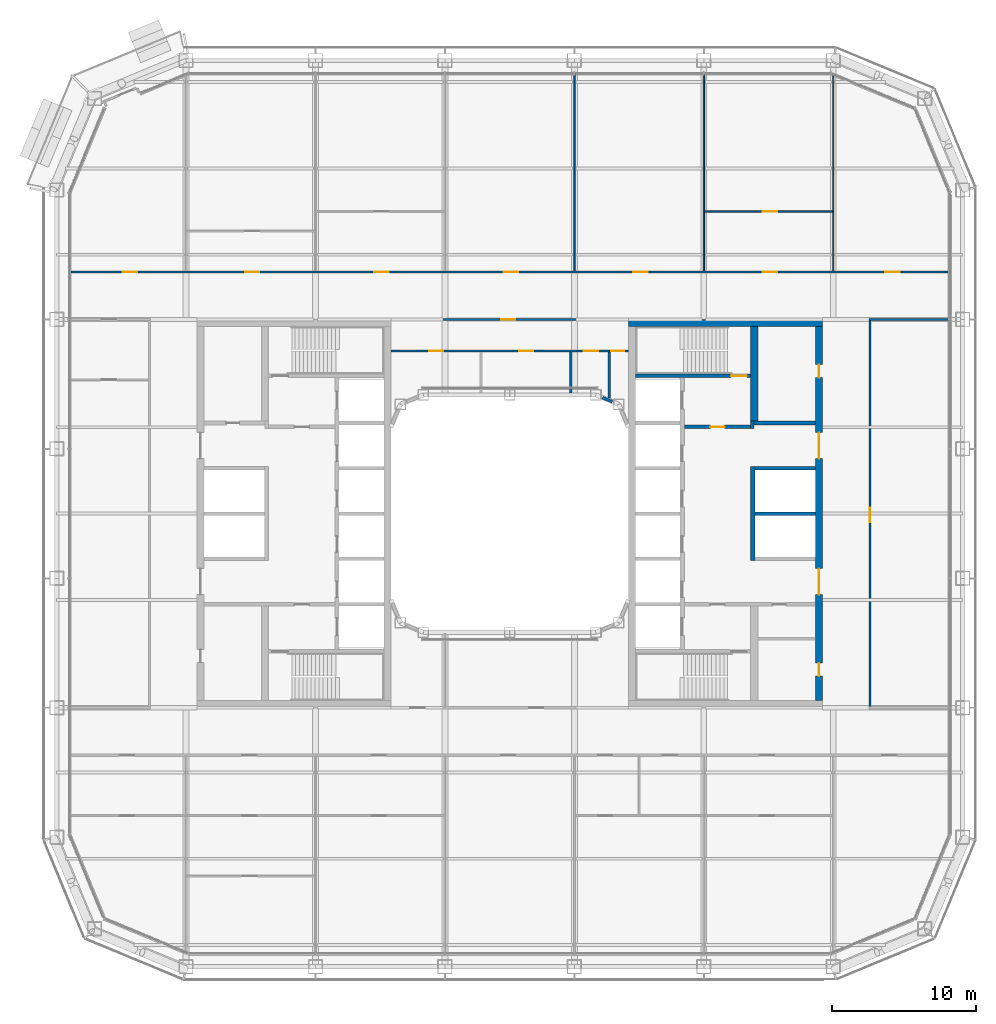
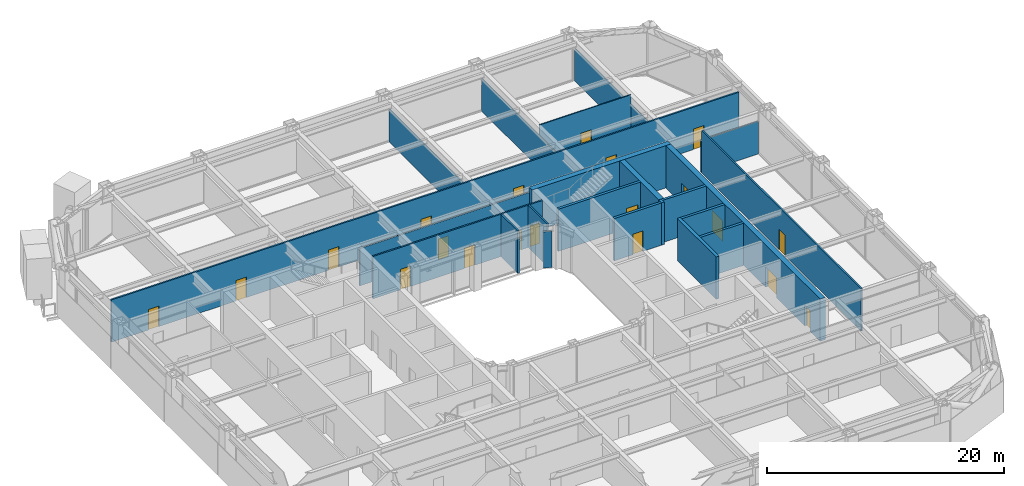
# One storey, part 15 of 28: 23 walls, 20 doors, 20 openings.
"""IFC4 building model written with IfcOpenShell, lengths in metres."""

from ifc_helpers import new_model, si_unit, direction, frame, frame_2d, origin, place, context, subcontext, project, spatial, rectangle, extrude, material, layer, layer_set, type_object, element, fill, save


model = new_model("IFC4")

# Units and contexts
model_context = context("Model", 3, precision=1e-05, world=origin(), true_north=direction((0.0, 1.0)))
body_context = subcontext(model_context, "Body", "Model", "MODEL_VIEW")
ifc_project = project(units=[si_unit("LENGTHUNIT", "METRE"), si_unit("AREAUNIT", "SQUARE_METRE"), si_unit("VOLUMEUNIT", "CUBIC_METRE"), si_unit("PLANEANGLEUNIT", "RADIAN"), si_unit("MASSUNIT", "GRAM", prefix="KILO")], contexts=[model_context])

# Site, building, storey
site_placement = place(None, origin())
site = spatial("IfcSite", under=ifc_project, at=site_placement, CompositionType="ELEMENT")
building_placement = place(site_placement, origin())
building = spatial("IfcBuilding", under=site, at=building_placement, Name="Siwar Civic Tower", CompositionType="ELEMENT")
storey_placement = place(building_placement, frame((0.0, 0.0, 85.199951171875)))
storey = spatial("IfcBuildingStorey", under=building, at=storey_placement, Name="L18", CompositionType="ELEMENT", Elevation=85.199951171875)

# Wall, opening, door
ifc_material_1 = material(Name="Gypsum board on steel studs", Category="steel")
ifc_layer_1 = layer(ifc_material_1, 0.14990234375)
ifc_layer_set_1 = layer_set([ifc_layer_1], Name="Gypsum board on steel studs")
wall_type_1 = type_object("IfcWallType", Name="COMPARTMENT PARTITION 150 EI 60", PredefinedType="PARTITIONING", material=ifc_layer_set_1)
wall_1_placement = place(storey_placement, frame((6.919921875, 11.300048828125, 0.0), z_axis=(0.0, 0.0, 1.0), x_axis=(1.0, 0.0, 0.0)))
wall_1 = element("IfcWall", 1, at=wall_1_placement, inside=storey, type_object=wall_type_1, Name="L18/wall/P10", PredefinedType="PARTITIONING", context=body_context, shape_type="SweptSolid", body=[
    extrude(rectangle(XDim=1.330078125, YDim=0.14990234375, at=frame_2d((0.6650390625, 0.0))), origin(), (0.0, 0.0, 1.0), 4.35009765625),
])
opening_1_placement = place(wall_1_placement, frame((0.14990234375, 0.0, 0.0)))
opening_1 = element("IfcOpeningElement", 2, at=opening_1_placement, cuts=wall_1, Name="Opening D4", PredefinedType="OPENING", context=body_context, shape_type="SweptSolid", body=[
    extrude(rectangle(XDim=0.89990234375, YDim=2.10009765625, at=frame_2d((0.449951171875, 1.050048828125))), frame((0.0, 0.0849609375, 0.0), z_axis=(0.0, -1.0, 0.0), x_axis=(1.0, 0.0, 0.0)), (0.0, 0.0, 1.0), 0.169921875),
])
ifc_material_2 = material(Name="Timber, painted", Category="wood")
door_type_1 = type_object("IfcDoorType", Name="DOOR 900 X 2100 FD60", OperationType="SINGLE_SWING_LEFT", PredefinedType="DOOR", material=ifc_material_2)
door_1_placement = place(opening_1_placement, origin())
door_1 = element("IfcDoor", 3, at=door_1_placement, inside=storey, type_object=door_type_1, Name="L18-D32", OperationType="SINGLE_SWING_RIGHT", OverallHeight=2.10009765625, OverallWidth=0.89990234375, PredefinedType="DOOR", context=body_context, shape_type="SweptSolid", body=[
    extrude(rectangle(XDim=0.89990234375, YDim=2.10009765625, at=frame_2d((0.449951171875, 1.050048828125))), frame((0.0, 0.02490234375, 0.0), z_axis=(0.0, -1.0, 0.0), x_axis=(1.0, 0.0, 0.0)), (0.0, 0.0, 1.0), 0.050048828125),
])
fill(opening_1, door_1)

# Wall
wall_2_placement = place(storey_placement, frame((6.919921875, 8.028076171875, 0.0), z_axis=(0.0, 0.0, 1.0), x_axis=(0.0, 1.0, 0.0)))
element("IfcWall", 4, at=wall_2_placement, inside=storey, type_object=wall_type_1, Name="L18/wall/P32", PredefinedType="PARTITIONING", context=body_context, shape_type="SweptSolid", body=[
    extrude(rectangle(XDim=3.197021484375, YDim=0.14990234375, at=frame_2d((1.5986328125, 0.0))), origin(), (0.0, 0.0, 1.0), 4.35009765625),
])

# Wall, opening, door
ifc_material_3 = material(Name="Concrete C60/75", Category="concrete")
ifc_layer_2 = layer(ifc_material_3, 0.25)
ifc_layer_set_2 = layer_set([ifc_layer_2], Name="Concrete C60/75")
wall_type_2 = type_object("IfcWallType", Name="CORE-WALL-RC250", PredefinedType="SHEAR", material=ifc_layer_set_2)
wall_3_placement = place(storey_placement, frame((12.14990234375, 6.02490234375, 0.0), z_axis=(0.0, 0.0, 1.0), x_axis=(1.0, 0.0, 0.0)))
wall_3 = element("IfcWall", 5, at=wall_3_placement, inside=storey, type_object=wall_type_2, Name="Core wall E", PredefinedType="SHEAR", context=body_context, shape_type="SweptSolid", body=[
    extrude(rectangle(XDim=4.60009765625, YDim=0.25, at=frame_2d((2.300048828125, 0.0))), origin(), (0.0, 0.0, 1.0), 4.35009765625),
])
opening_2_placement = place(wall_3_placement, frame((1.800048828125, 0.0, 0.0)))
opening_2 = element("IfcOpeningElement", 6, at=opening_2_placement, cuts=wall_3, Name="Opening L18-CE01", PredefinedType="OPENING", context=body_context, shape_type="SweptSolid", body=[
    extrude(rectangle(XDim=1.0, YDim=2.10009765625, at=frame_2d((0.5, 1.050048828125))), frame((0.0, 0.135009765625, 0.0), z_axis=(0.0, -1.0, 0.0), x_axis=(1.0, 0.0, 0.0)), (0.0, 0.0, 1.0), 0.27001953125),
])
ifc_material_4 = material(Name="Steel door leaf", Category="steel")
door_type_2 = type_object("IfcDoorType", Name="CORE-DOOR-FD30S", OperationType="SINGLE_SWING_LEFT", PredefinedType="DOOR", material=ifc_material_4)
door_2_placement = place(opening_2_placement, origin())
door_2 = element("IfcDoor", 7, at=door_2_placement, inside=storey, type_object=door_type_2, Name="Firefighting lobby door L18-CE01", OperationType="SINGLE_SWING_RIGHT", OverallHeight=2.10009765625, OverallWidth=1.0, PredefinedType="DOOR", context=body_context, shape_type="SweptSolid", body=[
    extrude(rectangle(XDim=1.0, YDim=2.10009765625, at=frame_2d((0.5, 1.050048828125))), frame((0.0, 0.02490234375, 0.0), z_axis=(0.0, -1.0, 0.0), x_axis=(1.0, 0.0, 0.0)), (0.0, 0.0, 1.0), 0.050048828125),
])
fill(opening_2, door_2)

# Walls
wall_4_placement = place(storey_placement, frame((16.875, 5.89990234375, 0.0), z_axis=(0.0, 0.0, 1.0), x_axis=(0.0, 1.0, 0.0)))
element("IfcWall", 8, at=wall_4_placement, inside=storey, type_object=wall_type_2, Name="Core wall E", PredefinedType="SHEAR", context=body_context, shape_type="SweptSolid", body=[
    extrude(rectangle(XDim=0.525146484375, YDim=0.25, at=frame_2d((0.2626953125, 0.0))), origin(), (0.0, 0.0, 1.0), 4.35009765625),
])
wall_5_placement = place(storey_placement, frame((17.0, 6.300048828125, 0.0), z_axis=(0.0, 0.0, 1.0), x_axis=(1.0, 0.0, 0.0)))
element("IfcWall", 9, at=wall_5_placement, inside=storey, type_object=wall_type_2, Name="Core wall E", PredefinedType="SHEAR", context=body_context, shape_type="SweptSolid", body=[
    extrude(rectangle(XDim=4.25, YDim=0.25, at=frame_2d((2.125, 0.0))), origin(), (0.0, 0.0, 1.0), 4.35009765625),
])
for number, where, z_axis, x_axis, name in (
    (10, (17.050048828125, 0.0, 0.0), (0.0, 0.0, 1.0), (1.0, 0.0, 0.0), "Core wall E"),
    (11, (17.050048828125, 3.14990234375, 0.0), (0.0, 0.0, 1.0), (1.0, 0.0, 0.0), "Core wall E"),
):
    element("IfcWall", number, at=place(storey_placement, frame(where, z_axis=z_axis, x_axis=x_axis)), inside=storey, type_object=wall_type_2, Name=name, PredefinedType="SHEAR", context=body_context, shape_type="SweptSolid", body=[
        extrude(rectangle(XDim=4.199951171875, YDim=0.25, at=frame_2d((2.10009765625, 0.0))), origin(), (0.0, 0.0, 1.0), 4.35009765625),
    ])

# Wall, opening, door
wall_6_placement = place(storey_placement, frame((8.75, 9.574951171875, 0.0), z_axis=(0.0, 0.0, 1.0), x_axis=(1.0, 0.0, 0.0)))
wall_6 = element("IfcWall", 12, at=wall_6_placement, inside=storey, type_object=wall_type_2, Name="Core wall E", PredefinedType="SHEAR", context=body_context, shape_type="SweptSolid", body=[
    extrude(rectangle(XDim=8.0, YDim=0.25, at=frame_2d((4.0, 0.0))), origin(), (0.0, 0.0, 1.0), 4.35009765625),
])
opening_3_placement = place(wall_6_placement, frame((6.64990234375, 0.0, 0.0)))
opening_3 = element("IfcOpeningElement", 13, at=opening_3_placement, cuts=wall_6, Name="Opening L18-CE03", PredefinedType="OPENING", context=body_context, shape_type="SweptSolid", body=[
    extrude(rectangle(XDim=1.10009765625, YDim=2.10009765625, at=frame_2d((0.550048828125, 1.050048828125))), frame((0.0, 0.135009765625, 0.0), z_axis=(0.0, -1.0, 0.0), x_axis=(1.0, 0.0, 0.0)), (0.0, 0.0, 1.0), 0.27001953125),
])
ifc_material_5 = material(Name="Steel door leaf", Category="steel")
door_type_3 = type_object("IfcDoorType", Name="CORE-DOOR-FD60S", OperationType="SINGLE_SWING_LEFT", PredefinedType="DOOR", material=ifc_material_5)
door_3_placement = place(opening_3_placement, origin())
door_3 = element("IfcDoor", 14, at=door_3_placement, inside=storey, type_object=door_type_3, Name="Stair door L18-CE03", OperationType="SINGLE_SWING_LEFT", OverallHeight=2.10009765625, OverallWidth=1.10009765625, PredefinedType="DOOR", context=body_context, shape_type="SweptSolid", body=[
    extrude(rectangle(XDim=1.10009765625, YDim=2.10009765625, at=frame_2d((0.550048828125, 1.050048828125))), frame((0.0, 0.02490234375, 0.0), z_axis=(0.0, -1.0, 0.0), x_axis=(1.0, 0.0, 0.0)), (0.0, 0.0, 1.0), 0.050048828125),
])
fill(opening_3, door_3)

# Wall
ifc_material_6 = material(Name="Concrete C60/75", Category="concrete")
ifc_layer_3 = layer(ifc_material_6, 0.300048828125)
ifc_layer_set_3 = layer_set([ifc_layer_3], Name="Concrete C60/75")
wall_type_3 = type_object("IfcWallType", Name="CORE-WALL-RC300", PredefinedType="SHEAR", material=ifc_layer_set_3)
wall_7_placement = place(storey_placement, frame((16.89990234375, -3.27490234375, 0.0), z_axis=(0.0, 0.0, 1.0), x_axis=(0.0, 1.0, 0.0)))
element("IfcWall", 15, at=wall_7_placement, inside=storey, type_object=wall_type_3, Name="Core wall E", PredefinedType="SHEAR", context=body_context, shape_type="SweptSolid", body=[
    extrude(rectangle(XDim=6.5498046875, YDim=0.300048828125, at=frame_2d((3.27490234375, 0.0))), origin(), (0.0, 0.0, 1.0), 4.35009765625),
])

# Wall, openings, doors
ifc_material_7 = material(Name="Concrete C60/75", Category="concrete")
ifc_layer_4 = layer(ifc_material_7, 0.5)
ifc_layer_set_4 = layer_set([ifc_layer_4], Name="Concrete C60/75")
wall_type_4 = type_object("IfcWallType", Name="CORE-WALL-RC500", PredefinedType="SHEAR", material=ifc_layer_set_4)
wall_8_placement = place(storey_placement, frame((21.5, -13.0, 0.0), z_axis=(0.0, 0.0, 1.0), x_axis=(0.0, 1.0, 0.0)))
wall_8 = element("IfcWall", 16, at=wall_8_placement, inside=storey, type_object=wall_type_4, Name="Core wall E", PredefinedType="SHEAR", context=body_context, shape_type="SweptSolid", body=[
    extrude(rectangle(XDim=26.0, YDim=0.5, at=frame_2d((13.0, 0.0))), origin(), (0.0, 0.0, 1.0), 4.35009765625),
])
opening_4_placement = place(wall_8_placement, frame((16.824951171875, 0.0, 0.0)))
opening_4 = element("IfcOpeningElement", 17, at=opening_4_placement, cuts=wall_8, Name="Opening L18-CE05", PredefinedType="OPENING", context=body_context, shape_type="SweptSolid", body=[
    extrude(rectangle(XDim=1.800048828125, YDim=2.10009765625, at=frame_2d((0.89990234375, 1.050048828125))), frame((0.0, 0.260009765625, 0.0), z_axis=(0.0, -1.0, 0.0), x_axis=(1.0, 0.0, 0.0)), (0.0, 0.0, 1.0), 0.52001953125),
])
opening_5_placement = place(wall_8_placement, frame((7.375, 0.0, 0.0)))
opening_5 = element("IfcOpeningElement", 18, at=opening_5_placement, cuts=wall_8, Name="Opening L18-CE06", PredefinedType="OPENING", context=body_context, shape_type="SweptSolid", body=[
    extrude(rectangle(XDim=1.800048828125, YDim=2.10009765625, at=frame_2d((0.89990234375, 1.050048828125))), frame((0.0, 0.260009765625, 0.0), z_axis=(0.0, -1.0, 0.0), x_axis=(1.0, 0.0, 0.0)), (0.0, 0.0, 1.0), 0.52001953125),
])
opening_6_placement = place(wall_8_placement, frame((22.449951171875, 0.0, 0.0)))
opening_6 = element("IfcOpeningElement", 19, at=opening_6_placement, cuts=wall_8, Name="Opening L18-CE13", PredefinedType="OPENING", context=body_context, shape_type="SweptSolid", body=[
    extrude(rectangle(XDim=0.89990234375, YDim=2.10009765625, at=frame_2d((0.449951171875, 1.050048828125))), frame((0.0, 0.260009765625, 0.0), z_axis=(0.0, -1.0, 0.0), x_axis=(1.0, 0.0, 0.0)), (0.0, 0.0, 1.0), 0.52001953125),
])
opening_7_placement = place(wall_8_placement, frame((1.699951171875, 0.0, 0.0)))
opening_7 = element("IfcOpeningElement", 20, at=opening_7_placement, cuts=wall_8, Name="Opening L18-CE15", PredefinedType="OPENING", context=body_context, shape_type="SweptSolid", body=[
    extrude(rectangle(XDim=0.89990234375, YDim=2.10009765625, at=frame_2d((0.449951171875, 1.050048828125))), frame((0.0, 0.260009765625, 0.0), z_axis=(0.0, -1.0, 0.0), x_axis=(1.0, 0.0, 0.0)), (0.0, 0.0, 1.0), 0.52001953125),
])
ifc_material_8 = material(Name="Steel door leaf", Category="steel")
door_type_4 = type_object("IfcDoorType", Name="CORE-DOOR-PORT", OperationType="DOUBLE_DOOR_DOUBLE_SWING", PredefinedType="DOOR", material=ifc_material_8)
door_4_placement = place(opening_4_placement, origin())
door_4 = element("IfcDoor", 21, at=door_4_placement, inside=storey, type_object=door_type_4, Name="Core entrance door L18-CE05", OperationType="DOUBLE_DOOR_DOUBLE_SWING", OverallHeight=2.10009765625, OverallWidth=1.800048828125, PredefinedType="DOOR", context=body_context, shape_type="SweptSolid", body=[
    extrude(rectangle(XDim=1.800048828125, YDim=2.10009765625, at=frame_2d((0.89990234375, 1.050048828125))), frame((0.0, 0.02490234375, 0.0), z_axis=(0.0, -1.0, 0.0), x_axis=(1.0, 0.0, 0.0)), (0.0, 0.0, 1.0), 0.050048828125),
])
fill(opening_4, door_4)
door_5_placement = place(opening_5_placement, origin())
door_5 = element("IfcDoor", 22, at=door_5_placement, inside=storey, type_object=door_type_4, Name="Core entrance door L18-CE06", OperationType="DOUBLE_DOOR_DOUBLE_SWING", OverallHeight=2.10009765625, OverallWidth=1.800048828125, PredefinedType="DOOR", context=body_context, shape_type="SweptSolid", body=[
    extrude(rectangle(XDim=1.800048828125, YDim=2.10009765625, at=frame_2d((0.89990234375, 1.050048828125))), frame((0.0, 0.02490234375, 0.0), z_axis=(0.0, -1.0, 0.0), x_axis=(1.0, 0.0, 0.0)), (0.0, 0.0, 1.0), 0.050048828125),
])
fill(opening_5, door_5)
ifc_material_9 = material(Name="Steel door leaf", Category="steel")
door_type_5 = type_object("IfcDoorType", Name="CORE-DOOR-ROOM", OperationType="SINGLE_SWING_LEFT", PredefinedType="DOOR", material=ifc_material_9)
door_6_placement = place(opening_6_placement, origin())
door_6 = element("IfcDoor", 23, at=door_6_placement, inside=storey, type_object=door_type_5, Name="Core room door L18-CE13", OperationType="SINGLE_SWING_LEFT", OverallHeight=2.10009765625, OverallWidth=0.89990234375, PredefinedType="DOOR", context=body_context, shape_type="SweptSolid", body=[
    extrude(rectangle(XDim=0.89990234375, YDim=2.10009765625, at=frame_2d((0.449951171875, 1.050048828125))), frame((0.0, 0.02490234375, 0.0), z_axis=(0.0, -1.0, 0.0), x_axis=(1.0, 0.0, 0.0)), (0.0, 0.0, 1.0), 0.050048828125),
])
fill(opening_6, door_6)
door_7_placement = place(opening_7_placement, origin())
door_7 = element("IfcDoor", 24, at=door_7_placement, inside=storey, type_object=door_type_5, Name="Core room door L18-CE15", OperationType="SINGLE_SWING_LEFT", OverallHeight=2.10009765625, OverallWidth=0.89990234375, PredefinedType="DOOR", context=body_context, shape_type="SweptSolid", body=[
    extrude(rectangle(XDim=0.89990234375, YDim=2.10009765625, at=frame_2d((0.449951171875, 1.050048828125))), frame((0.0, 0.02490234375, 0.0), z_axis=(0.0, -1.0, 0.0), x_axis=(1.0, 0.0, 0.0)), (0.0, 0.0, 1.0), 0.050048828125),
])
fill(opening_7, door_7)

# Walls
wall_9_placement = place(storey_placement, frame((17.0, 6.425048828125, 0.0), z_axis=(0.0, 0.0, 1.0), x_axis=(0.0, 1.0, 0.0)))
element("IfcWall", 25, at=wall_9_placement, inside=storey, type_object=wall_type_4, Name="Core wall E", PredefinedType="SHEAR", context=body_context, shape_type="SweptSolid", body=[
    extrude(rectangle(XDim=6.574951171875, YDim=0.5, at=frame_2d((3.28759765625, 0.0))), origin(), (0.0, 0.0, 1.0), 4.35009765625),
])
wall_10_placement = place(storey_placement, frame((8.25, 13.25, 0.0), z_axis=(0.0, 0.0, 1.0), x_axis=(1.0, 0.0, 0.0)))
element("IfcWall", 26, at=wall_10_placement, inside=storey, type_object=wall_type_4, Name="Core wall E", PredefinedType="SHEAR", context=body_context, shape_type="SweptSolid", body=[
    extrude(rectangle(XDim=13.5, YDim=0.5, at=frame_2d((6.75, 0.0))), origin(), (0.0, 0.0, 1.0), 4.35009765625),
])

# Wall, openings, doors
ifc_material_10 = material(Name="Gypsum board on steel studs", Category="steel")
ifc_layer_5 = layer(ifc_material_10, 0.14990234375)
ifc_layer_set_5 = layer_set([ifc_layer_5], Name="Gypsum board on steel studs")
wall_type_5 = type_object("IfcWallType", Name="CORRIDOR PARTITION 150 EI 30", PredefinedType="PARTITIONING", material=ifc_layer_set_5)
wall_11_placement = place(storey_placement, frame((-8.25, 11.300048828125, 0.0), z_axis=(0.0, 0.0, 1.0), x_axis=(1.0, 0.0, 0.0)))
wall_11 = element("IfcWall", 27, at=wall_11_placement, inside=storey, type_object=wall_type_5, Name="L18/wall/P09", PredefinedType="PARTITIONING", context=body_context, shape_type="SweptSolid", body=[
    extrude(rectangle(XDim=15.169921875, YDim=0.14990234375, at=frame_2d((7.5849609375, 0.0))), origin(), (0.0, 0.0, 1.0), 4.35009765625),
])
opening_8_placement = place(wall_11_placement, frame((2.64990234375, 0.0, 0.0)))
opening_8 = element("IfcOpeningElement", 28, at=opening_8_placement, cuts=wall_11, Name="Opening D3", PredefinedType="OPENING", context=body_context, shape_type="SweptSolid", body=[
    extrude(rectangle(XDim=1.0, YDim=2.10009765625, at=frame_2d((0.5, 1.050048828125))), frame((0.0, 0.0849609375, 0.0), z_axis=(0.0, -1.0, 0.0), x_axis=(1.0, 0.0, 0.0)), (0.0, 0.0, 1.0), 0.169921875),
])
opening_9_placement = place(wall_11_placement, frame((8.89990234375, 0.0, 0.0)))
opening_9 = element("IfcOpeningElement", 29, at=opening_9_placement, cuts=wall_11, Name="Opening D3", PredefinedType="OPENING", context=body_context, shape_type="SweptSolid", body=[
    extrude(rectangle(XDim=1.0, YDim=2.10009765625, at=frame_2d((0.5, 1.050048828125))), frame((0.0, 0.0849609375, 0.0), z_axis=(0.0, -1.0, 0.0), x_axis=(1.0, 0.0, 0.0)), (0.0, 0.0, 1.0), 0.169921875),
])
opening_10_placement = place(wall_11_placement, frame((13.39990234375, 0.0, 0.0)))
opening_10 = element("IfcOpeningElement", 30, at=opening_10_placement, cuts=wall_11, Name="Opening D3", PredefinedType="OPENING", context=body_context, shape_type="SweptSolid", body=[
    extrude(rectangle(XDim=1.0, YDim=2.10009765625, at=frame_2d((0.5, 1.050048828125))), frame((0.0, 0.0849609375, 0.0), z_axis=(0.0, -1.0, 0.0), x_axis=(1.0, 0.0, 0.0)), (0.0, 0.0, 1.0), 0.169921875),
])
ifc_material_11 = material(Name="Timber, painted", Category="wood")
door_type_6 = type_object("IfcDoorType", Name="DOOR 1000 X 2100 WC", OperationType="SINGLE_SWING_LEFT", PredefinedType="DOOR", material=ifc_material_11)
door_8_placement = place(opening_8_placement, origin())
door_8 = element("IfcDoor", 31, at=door_8_placement, inside=storey, type_object=door_type_6, Name="L18-D29", OperationType="SINGLE_SWING_LEFT", OverallHeight=2.10009765625, OverallWidth=1.0, PredefinedType="DOOR", context=body_context, shape_type="SweptSolid", body=[
    extrude(rectangle(XDim=1.0, YDim=2.10009765625, at=frame_2d((0.5, 1.050048828125))), frame((0.0, 0.02490234375, 0.0), z_axis=(0.0, -1.0, 0.0), x_axis=(1.0, 0.0, 0.0)), (0.0, 0.0, 1.0), 0.050048828125),
])
fill(opening_8, door_8)
door_9_placement = place(opening_9_placement, origin())
door_9 = element("IfcDoor", 32, at=door_9_placement, inside=storey, type_object=door_type_6, Name="L18-D30", OperationType="SINGLE_SWING_RIGHT", OverallHeight=2.10009765625, OverallWidth=1.0, PredefinedType="DOOR", context=body_context, shape_type="SweptSolid", body=[
    extrude(rectangle(XDim=1.0, YDim=2.10009765625, at=frame_2d((0.5, 1.050048828125))), frame((0.0, 0.02490234375, 0.0), z_axis=(0.0, -1.0, 0.0), x_axis=(1.0, 0.0, 0.0)), (0.0, 0.0, 1.0), 0.050048828125),
])
fill(opening_9, door_9)
door_10_placement = place(opening_10_placement, origin())
door_10 = element("IfcDoor", 33, at=door_10_placement, inside=storey, type_object=door_type_6, Name="L18-D31", OperationType="SINGLE_SWING_LEFT", OverallHeight=2.10009765625, OverallWidth=1.0, PredefinedType="DOOR", context=body_context, shape_type="SweptSolid", body=[
    extrude(rectangle(XDim=1.0, YDim=2.10009765625, at=frame_2d((0.5, 1.050048828125))), frame((0.0, 0.02490234375, 0.0), z_axis=(0.0, -1.0, 0.0), x_axis=(1.0, 0.0, 0.0)), (0.0, 0.0, 1.0), 0.050048828125),
])
fill(opening_10, door_10)

# Wall, opening, door
wall_12_placement = place(storey_placement, frame((-8.25, 13.5, 0.0), z_axis=(0.0, 0.0, 1.0), x_axis=(1.0, 0.0, 0.0)))
wall_12 = element("IfcWall", 34, at=wall_12_placement, inside=storey, type_object=wall_type_5, Name="L18/wall/P12", PredefinedType="PARTITIONING", context=body_context, shape_type="SweptSolid", body=[
    extrude(rectangle(XDim=16.5, YDim=0.14990234375, at=frame_2d((8.25, 0.0))), origin(), (0.0, 0.0, 1.0), 3.85009765625),
])
opening_11_placement = place(wall_12_placement, frame((7.64990234375, 0.0, 0.0)))
opening_11 = element("IfcOpeningElement", 35, at=opening_11_placement, cuts=wall_12, Name="Opening D1", PredefinedType="OPENING", context=body_context, shape_type="SweptSolid", body=[
    extrude(rectangle(XDim=1.0, YDim=2.10009765625, at=frame_2d((0.5, 1.050048828125))), frame((0.0, 0.0849609375, 0.0), z_axis=(0.0, -1.0, 0.0), x_axis=(1.0, 0.0, 0.0)), (0.0, 0.0, 1.0), 0.169921875),
])
ifc_material_12 = material(Name="Timber, painted", Category="wood")
door_type_7 = type_object("IfcDoorType", Name="DOOR 1000 X 2100 FD30", OperationType="SINGLE_SWING_LEFT", PredefinedType="DOOR", material=ifc_material_12)
door_11_placement = place(opening_11_placement, origin())
door_11 = element("IfcDoor", 36, at=door_11_placement, inside=storey, type_object=door_type_7, Name="L18-D28", OperationType="SINGLE_SWING_RIGHT", OverallHeight=2.10009765625, OverallWidth=1.0, PredefinedType="DOOR", context=body_context, shape_type="SweptSolid", body=[
    extrude(rectangle(XDim=1.0, YDim=2.10009765625, at=frame_2d((0.5, 1.050048828125))), frame((0.0, 0.02490234375, 0.0), z_axis=(0.0, -1.0, 0.0), x_axis=(1.0, 0.0, 0.0)), (0.0, 0.0, 1.0), 0.050048828125),
])
fill(opening_11, door_11)

# Wall
wall_13_placement = place(storey_placement, frame((24.97509765625, 13.5, 0.0), z_axis=(0.0, 0.0, 1.0), x_axis=(1.0, 0.0, 0.0)))
element("IfcWall", 37, at=wall_13_placement, inside=storey, type_object=wall_type_5, Name="L18/wall/P13", PredefinedType="PARTITIONING", context=body_context, shape_type="SweptSolid", body=[
    extrude(rectangle(XDim=5.534912109375, YDim=0.14990234375, at=frame_2d((2.767578125, 0.0))), origin(), (0.0, 0.0, 1.0), 3.35009765625),
])

# Wall, openings, doors
wall_14_placement = place(storey_placement, frame((-30.510009765625, 16.800048828125, 0.0), z_axis=(0.0, 0.0, 1.0), x_axis=(1.0, 0.0, 0.0)))
wall_14 = element("IfcWall", 38, at=wall_14_placement, inside=storey, type_object=wall_type_5, Name="L18/wall/P14", PredefinedType="PARTITIONING", context=body_context, shape_type="SweptSolid", body=[
    extrude(rectangle(XDim=61.02001953125, YDim=0.14990234375, at=frame_2d((30.510009765625, 0.0))), origin(), (0.0, 0.0, 1.0), 4.35009765625),
])
opening_12_placement = place(wall_14_placement, frame((12.110107421875, 0.0, 0.0)))
opening_12 = element("IfcOpeningElement", 39, at=opening_12_placement, cuts=wall_14, Name="Opening D1", PredefinedType="OPENING", context=body_context, shape_type="SweptSolid", body=[
    extrude(rectangle(XDim=1.0, YDim=2.10009765625, at=frame_2d((0.5, 1.050048828125))), frame((0.0, 0.0849609375, 0.0), z_axis=(0.0, -1.0, 0.0), x_axis=(1.0, 0.0, 0.0)), (0.0, 0.0, 1.0), 0.169921875),
])
opening_13_placement = place(wall_14_placement, frame((21.110107421875, 0.0, 0.0)))
opening_13 = element("IfcOpeningElement", 40, at=opening_13_placement, cuts=wall_14, Name="Opening D1", PredefinedType="OPENING", context=body_context, shape_type="SweptSolid", body=[
    extrude(rectangle(XDim=1.0, YDim=2.10009765625, at=frame_2d((0.5, 1.050048828125))), frame((0.0, 0.0849609375, 0.0), z_axis=(0.0, -1.0, 0.0), x_axis=(1.0, 0.0, 0.0)), (0.0, 0.0, 1.0), 0.169921875),
])
opening_14_placement = place(wall_14_placement, frame((30.110107421875, 0.0, 0.0)))
opening_14 = element("IfcOpeningElement", 41, at=opening_14_placement, cuts=wall_14, Name="Opening D1", PredefinedType="OPENING", context=body_context, shape_type="SweptSolid", body=[
    extrude(rectangle(XDim=1.0, YDim=2.10009765625, at=frame_2d((0.5, 1.050048828125))), frame((0.0, 0.0849609375, 0.0), z_axis=(0.0, -1.0, 0.0), x_axis=(1.0, 0.0, 0.0)), (0.0, 0.0, 1.0), 0.169921875),
])
opening_15_placement = place(wall_14_placement, frame((39.110107421875, 0.0, 0.0)))
opening_15 = element("IfcOpeningElement", 42, at=opening_15_placement, cuts=wall_14, Name="Opening D1", PredefinedType="OPENING", context=body_context, shape_type="SweptSolid", body=[
    extrude(rectangle(XDim=1.0, YDim=2.10009765625, at=frame_2d((0.5, 1.050048828125))), frame((0.0, 0.0849609375, 0.0), z_axis=(0.0, -1.0, 0.0), x_axis=(1.0, 0.0, 0.0)), (0.0, 0.0, 1.0), 0.169921875),
])
opening_16_placement = place(wall_14_placement, frame((48.110107421875, 0.0, 0.0)))
opening_16 = element("IfcOpeningElement", 43, at=opening_16_placement, cuts=wall_14, Name="Opening D1", PredefinedType="OPENING", context=body_context, shape_type="SweptSolid", body=[
    extrude(rectangle(XDim=1.0, YDim=2.10009765625, at=frame_2d((0.5, 1.050048828125))), frame((0.0, 0.0849609375, 0.0), z_axis=(0.0, -1.0, 0.0), x_axis=(1.0, 0.0, 0.0)), (0.0, 0.0, 1.0), 0.169921875),
])
opening_17_placement = place(wall_14_placement, frame((3.610107421875, 0.0, 0.0)))
opening_17 = element("IfcOpeningElement", 44, at=opening_17_placement, cuts=wall_14, Name="Opening D1", PredefinedType="OPENING", context=body_context, shape_type="SweptSolid", body=[
    extrude(rectangle(XDim=1.0, YDim=2.10009765625, at=frame_2d((0.5, 1.050048828125))), frame((0.0, 0.0849609375, 0.0), z_axis=(0.0, -1.0, 0.0), x_axis=(1.0, 0.0, 0.0)), (0.0, 0.0, 1.0), 0.169921875),
])
opening_18_placement = place(wall_14_placement, frame((56.6201171875, 0.0, 0.0)))
opening_18 = element("IfcOpeningElement", 45, at=opening_18_placement, cuts=wall_14, Name="Opening D1", PredefinedType="OPENING", context=body_context, shape_type="SweptSolid", body=[
    extrude(rectangle(XDim=1.0, YDim=2.10009765625, at=frame_2d((0.5, 1.050048828125))), frame((0.0, 0.0849609375, 0.0), z_axis=(0.0, -1.0, 0.0), x_axis=(1.0, 0.0, 0.0)), (0.0, 0.0, 1.0), 0.169921875),
])
door_12_placement = place(opening_12_placement, origin())
door_12 = element("IfcDoor", 46, at=door_12_placement, inside=storey, type_object=door_type_7, Name="L18-D01", OperationType="SINGLE_SWING_LEFT", OverallHeight=2.10009765625, OverallWidth=1.0, PredefinedType="DOOR", context=body_context, shape_type="SweptSolid", body=[
    extrude(rectangle(XDim=1.0, YDim=2.10009765625, at=frame_2d((0.5, 1.050048828125))), frame((0.0, 0.02490234375, 0.0), z_axis=(0.0, -1.0, 0.0), x_axis=(1.0, 0.0, 0.0)), (0.0, 0.0, 1.0), 0.050048828125),
])
fill(opening_12, door_12)
door_13_placement = place(opening_13_placement, origin())
door_13 = element("IfcDoor", 47, at=door_13_placement, inside=storey, type_object=door_type_7, Name="L18-D03", OperationType="SINGLE_SWING_LEFT", OverallHeight=2.10009765625, OverallWidth=1.0, PredefinedType="DOOR", context=body_context, shape_type="SweptSolid", body=[
    extrude(rectangle(XDim=1.0, YDim=2.10009765625, at=frame_2d((0.5, 1.050048828125))), frame((0.0, 0.02490234375, 0.0), z_axis=(0.0, -1.0, 0.0), x_axis=(1.0, 0.0, 0.0)), (0.0, 0.0, 1.0), 0.050048828125),
])
fill(opening_13, door_13)
door_14_placement = place(opening_14_placement, origin())
door_14 = element("IfcDoor", 48, at=door_14_placement, inside=storey, type_object=door_type_7, Name="L18-D05", OperationType="SINGLE_SWING_LEFT", OverallHeight=2.10009765625, OverallWidth=1.0, PredefinedType="DOOR", context=body_context, shape_type="SweptSolid", body=[
    extrude(rectangle(XDim=1.0, YDim=2.10009765625, at=frame_2d((0.5, 1.050048828125))), frame((0.0, 0.02490234375, 0.0), z_axis=(0.0, -1.0, 0.0), x_axis=(1.0, 0.0, 0.0)), (0.0, 0.0, 1.0), 0.050048828125),
])
fill(opening_14, door_14)
door_15_placement = place(opening_15_placement, origin())
door_15 = element("IfcDoor", 49, at=door_15_placement, inside=storey, type_object=door_type_7, Name="L18-D06", OperationType="SINGLE_SWING_RIGHT", OverallHeight=2.10009765625, OverallWidth=1.0, PredefinedType="DOOR", context=body_context, shape_type="SweptSolid", body=[
    extrude(rectangle(XDim=1.0, YDim=2.10009765625, at=frame_2d((0.5, 1.050048828125))), frame((0.0, 0.02490234375, 0.0), z_axis=(0.0, -1.0, 0.0), x_axis=(1.0, 0.0, 0.0)), (0.0, 0.0, 1.0), 0.050048828125),
])
fill(opening_15, door_15)
door_16_placement = place(opening_16_placement, origin())
door_16 = element("IfcDoor", 50, at=door_16_placement, inside=storey, type_object=door_type_7, Name="L18-D07", OperationType="SINGLE_SWING_LEFT", OverallHeight=2.10009765625, OverallWidth=1.0, PredefinedType="DOOR", context=body_context, shape_type="SweptSolid", body=[
    extrude(rectangle(XDim=1.0, YDim=2.10009765625, at=frame_2d((0.5, 1.050048828125))), frame((0.0, 0.02490234375, 0.0), z_axis=(0.0, -1.0, 0.0), x_axis=(1.0, 0.0, 0.0)), (0.0, 0.0, 1.0), 0.050048828125),
])
fill(opening_16, door_16)
door_17_placement = place(opening_17_placement, origin())
door_17 = element("IfcDoor", 51, at=door_17_placement, inside=storey, type_object=door_type_7, Name="L18-D20", OperationType="SINGLE_SWING_RIGHT", OverallHeight=2.10009765625, OverallWidth=1.0, PredefinedType="DOOR", context=body_context, shape_type="SweptSolid", body=[
    extrude(rectangle(XDim=1.0, YDim=2.10009765625, at=frame_2d((0.5, 1.050048828125))), frame((0.0, 0.02490234375, 0.0), z_axis=(0.0, -1.0, 0.0), x_axis=(1.0, 0.0, 0.0)), (0.0, 0.0, 1.0), 0.050048828125),
])
fill(opening_17, door_17)
door_18_placement = place(opening_18_placement, origin())
door_18 = element("IfcDoor", 52, at=door_18_placement, inside=storey, type_object=door_type_7, Name="L18-D21", OperationType="SINGLE_SWING_LEFT", OverallHeight=2.10009765625, OverallWidth=1.0, PredefinedType="DOOR", context=body_context, shape_type="SweptSolid", body=[
    extrude(rectangle(XDim=1.0, YDim=2.10009765625, at=frame_2d((0.5, 1.050048828125))), frame((0.0, 0.02490234375, 0.0), z_axis=(0.0, -1.0, 0.0), x_axis=(1.0, 0.0, 0.0)), (0.0, 0.0, 1.0), 0.050048828125),
])
fill(opening_18, door_18)

# Wall
wall_15_placement = place(storey_placement, frame((4.25, 8.3701171875, 0.0), z_axis=(0.0, 0.0, 1.0), x_axis=(0.0, 1.0, 0.0)))
element("IfcWall", 53, at=wall_15_placement, inside=storey, type_object=wall_type_5, Name="L18/wall/P29", PredefinedType="PARTITIONING", context=body_context, shape_type="SweptSolid", body=[
    extrude(rectangle(XDim=2.85498046875, YDim=0.14990234375, at=frame_2d((1.427490234375, 0.0))), origin(), (0.0, 0.0, 1.0), 4.35009765625),
])

# Wall, opening, door
wall_16_placement = place(storey_placement, frame((25.050048828125, -13.425048828125, 0.0), z_axis=(0.0, 0.0, 1.0), x_axis=(0.0, 1.0, 0.0)))
wall_16 = element("IfcWall", 54, at=wall_16_placement, inside=storey, type_object=wall_type_5, Name="L18/wall/P39", PredefinedType="PARTITIONING", context=body_context, shape_type="SweptSolid", body=[
    extrude(rectangle(XDim=26.85009765625, YDim=0.14990234375, at=frame_2d((13.425048828125, 0.0))), origin(), (0.0, 0.0, 1.0), 4.35009765625),
])
opening_19_placement = place(wall_16_placement, frame((12.824951171875, 0.0, 0.0)))
opening_19 = element("IfcOpeningElement", 55, at=opening_19_placement, cuts=wall_16, Name="Opening D1", PredefinedType="OPENING", context=body_context, shape_type="SweptSolid", body=[
    extrude(rectangle(XDim=1.0, YDim=2.10009765625, at=frame_2d((0.5, 1.050048828125))), frame((0.0, 0.0849609375, 0.0), z_axis=(0.0, -1.0, 0.0), x_axis=(1.0, 0.0, 0.0)), (0.0, 0.0, 1.0), 0.169921875),
])
door_19_placement = place(opening_19_placement, origin())
door_19 = element("IfcDoor", 56, at=door_19_placement, inside=storey, type_object=door_type_7, Name="L18-D27", OperationType="SINGLE_SWING_LEFT", OverallHeight=2.10009765625, OverallWidth=1.0, PredefinedType="DOOR", context=body_context, shape_type="SweptSolid", body=[
    extrude(rectangle(XDim=1.0, YDim=2.10009765625, at=frame_2d((0.5, 1.050048828125))), frame((0.0, 0.02490234375, 0.0), z_axis=(0.0, -1.0, 0.0), x_axis=(1.0, 0.0, 0.0)), (0.0, 0.0, 1.0), 0.050048828125),
])
fill(opening_19, door_19)

# Wall
ifc_material_13 = material(Name="Aluminium clad insulated panel", Category="aluminium")
ifc_layer_6 = layer(ifc_material_13, 0.199951171875)
ifc_layer_set_6 = layer_set([ifc_layer_6], Name="Aluminium clad insulated panel")
wall_type_6 = type_object("IfcWallType", Name="ENV-WALL-WELL", PredefinedType="STANDARD", material=ifc_layer_set_6)
wall_17_placement = place(storey_placement, frame((7.138427734375, 7.778564453125, 0.0), z_axis=(0.0, 0.0, 1.0), x_axis=(-0.923940677943, 0.382535780864, 0.0)))
element("IfcWall", 57, at=wall_17_placement, inside=storey, type_object=wall_type_6, Name="Light well corner wall NE2", PredefinedType="STANDARD", context=body_context, shape_type="SweptSolid", body=[
    extrude(rectangle(XDim=0.7421875, YDim=0.199951171875, at=frame_2d((0.37109375, 0.0))), origin(), (0.0, 0.0, 1.0), 3.72998046875),
])

# Wall, opening, door
ifc_material_14 = material(Name="Gypsum board on steel studs", Category="steel")
ifc_layer_7 = layer(ifc_material_14, 0.10009765625)
ifc_layer_set_7 = layer_set([ifc_layer_7], Name="Gypsum board on steel studs")
wall_type_7 = type_object("IfcWallType", Name="PARTITION 100 GYPSUM", PredefinedType="PARTITIONING", material=ifc_layer_set_7)
wall_18_placement = place(storey_placement, frame((13.550048828125, 21.0, 0.0), z_axis=(0.0, 0.0, 1.0), x_axis=(1.0, 0.0, 0.0)))
wall_18 = element("IfcWall", 58, at=wall_18_placement, inside=storey, type_object=wall_type_7, Name="L18/wall/P17", PredefinedType="PARTITIONING", context=body_context, shape_type="SweptSolid", body=[
    extrude(rectangle(XDim=8.89990234375, YDim=0.10009765625, at=frame_2d((4.449951171875, 0.0))), origin(), (0.0, 0.0, 1.0), 4.35009765625),
])
opening_20_placement = place(wall_18_placement, frame((4.050048828125, 0.0, 0.0)))
opening_20 = element("IfcOpeningElement", 59, at=opening_20_placement, cuts=wall_18, Name="Opening D2", PredefinedType="OPENING", context=body_context, shape_type="SweptSolid", body=[
    extrude(rectangle(XDim=1.0, YDim=2.10009765625, at=frame_2d((0.5, 1.050048828125))), frame((0.0, 0.06005859375, 0.0), z_axis=(0.0, -1.0, 0.0), x_axis=(1.0, 0.0, 0.0)), (0.0, 0.0, 1.0), 0.1201171875),
])
ifc_material_15 = material(Name="Timber, painted", Category="wood")
door_type_8 = type_object("IfcDoorType", Name="DOOR 1000 X 2100", OperationType="SINGLE_SWING_LEFT", PredefinedType="DOOR", material=ifc_material_15)
door_20_placement = place(opening_20_placement, origin())
door_20 = element("IfcDoor", 60, at=door_20_placement, inside=storey, type_object=door_type_8, Name="L18-D08", OperationType="SINGLE_SWING_RIGHT", OverallHeight=2.10009765625, OverallWidth=1.0, PredefinedType="DOOR", context=body_context, shape_type="SweptSolid", body=[
    extrude(rectangle(XDim=1.0, YDim=2.10009765625, at=frame_2d((0.5, 1.050048828125))), frame((0.0, 0.02490234375, 0.0), z_axis=(0.0, -1.0, 0.0), x_axis=(1.0, 0.0, 0.0)), (0.0, 0.0, 1.0), 0.050048828125),
])
fill(opening_20, door_20)

# Walls
for number, where, z_axis, x_axis, name in (
    (61, (4.5, 16.875, 0.0), (0.0, 0.0, 1.0), (0.0, 1.0, 0.0), "L18/wall/P31"),
    (62, (13.5, 16.875, 0.0), (0.0, 0.0, 1.0), (0.0, 1.0, 0.0), "L18/wall/P36"),
):
    element("IfcWall", number, at=place(storey_placement, frame(where, z_axis=z_axis, x_axis=x_axis)), inside=storey, type_object=wall_type_7, Name=name, PredefinedType="PARTITIONING", context=body_context, shape_type="SweptSolid", body=[
        extrude(rectangle(XDim=13.635009765625, YDim=0.10009765625, at=frame_2d((6.8173828125, 0.0))), origin(), (0.0, 0.0, 1.0), 3.35009765625),
    ])
wall_19_placement = place(storey_placement, frame((22.5, 16.875, 0.0), z_axis=(0.0, 0.0, 1.0), x_axis=(0.0, 1.0, 0.0)))
element("IfcWall", 63, at=wall_19_placement, inside=storey, type_object=wall_type_7, Name="L18/wall/P38", PredefinedType="PARTITIONING", context=body_context, shape_type="SweptSolid", body=[
    extrude(rectangle(XDim=13.552978515625, YDim=0.10009765625, at=frame_2d((6.7763671875, 0.0))), origin(), (0.0, 0.0, 1.0), 3.35009765625),
])

save(model, "model.ifc")
